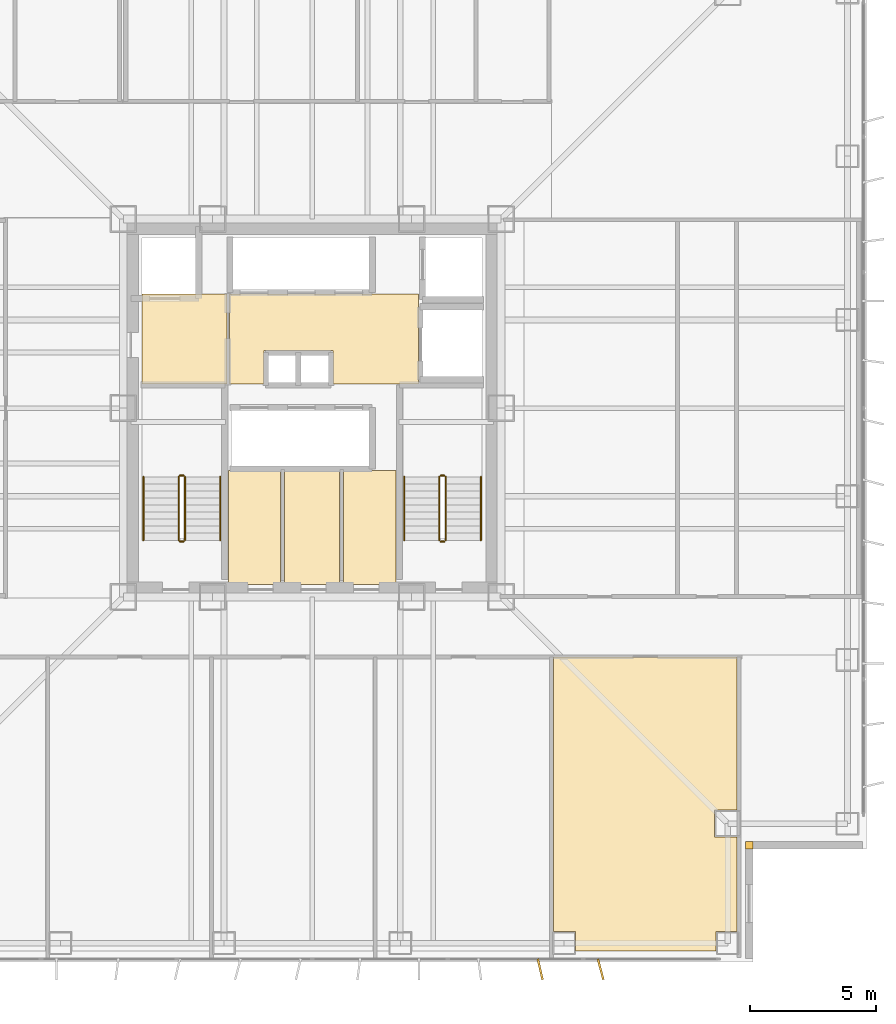
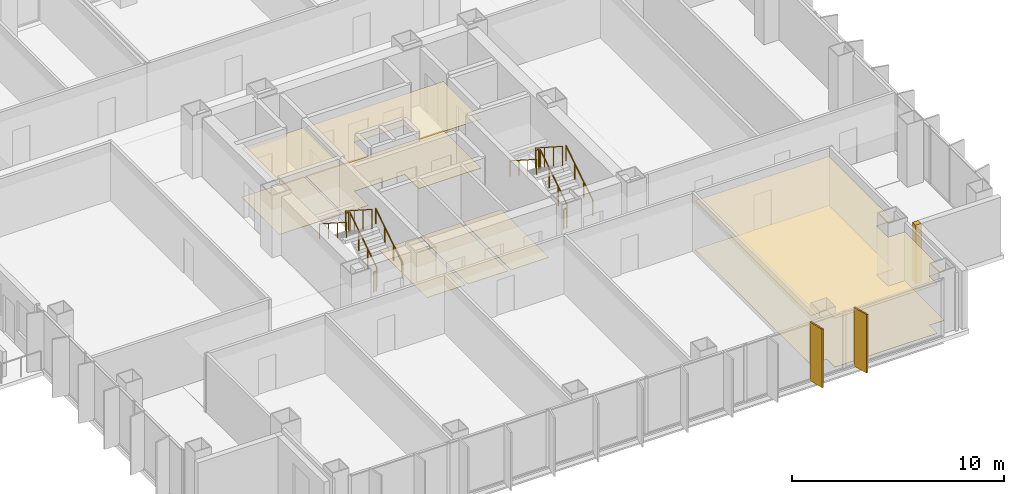
# One storey, part 14 of 15: 12 railings, 10 coverings, 2 shading devices.
"""IFC4 building model written with IfcOpenShell, lengths in metres."""

from ifc_helpers import new_model, si_unit, direction, frame, origin, origin_2d, place, context, subcontext, project, spatial, polyline, rectangle, circle, outline, extrude, material, layer, layer_set, type_object, element, save


model = new_model("IFC4")

# Units and contexts
model_context = context("Model", 3, precision=1e-05, world=origin(), true_north=direction((0.0, 1.0)))
body_context = subcontext(model_context, "Body", "Model", "MODEL_VIEW")
ifc_project = project(units=[si_unit("LENGTHUNIT", "METRE"), si_unit("AREAUNIT", "SQUARE_METRE"), si_unit("VOLUMEUNIT", "CUBIC_METRE"), si_unit("PLANEANGLEUNIT", "RADIAN"), si_unit("MASSUNIT", "GRAM", prefix="KILO")], contexts=[model_context])

# Site, building, storey
site_placement = place(None, origin())
site = spatial("IfcSite", under=ifc_project, at=site_placement, CompositionType="ELEMENT")
building_placement = place(site_placement, origin())
building = spatial("IfcBuilding", under=site, at=building_placement, Name="Trevonay Congress Spire", CompositionType="ELEMENT")
storey_placement = place(building_placement, frame((0.0, 0.0, 115.60009765625)))
storey = spatial("IfcBuildingStorey", under=building, at=storey_placement, Name="L29", CompositionType="ELEMENT", Elevation=115.60009765625)

# Coverings
ifc_material_1 = material(Name="Acoustic Mineral Fibre Board", Category="gypsum")
ifc_layer_1 = layer(ifc_material_1, 0.02490234375, Name="Acoustic Mineral Fibre Board")
ifc_layer_set_1 = layer_set([ifc_layer_1], Name="Acoustic Mineral Fibre Board")
covering_type_1 = type_object("IfcCoveringType", Name="COV-CEIL-ACOUSTIC", PredefinedType="CEILING", material=ifc_layer_set_1)
covering_1_placement = place(storey_placement, frame((0.0, 0.0, 2.809814453125)))
element("IfcCovering", 1, at=covering_1_placement, inside=storey, type_object=covering_type_1, Name="L29 Firefighting Lift Lobby West acoustic suspended ceiling", PredefinedType="CEILING", context=body_context, shape_type="SweptSolid", body=[
    extrude(outline(polyline([(-6.75, 0.9599609375), (-3.3798828125, 0.9599609375), (-3.3798828125, 4.52001953125), (-6.75, 4.52001953125), (-6.75, 0.9599609375)])), origin(), (0.0, 0.0, 1.0), 0.025146484375),
])
covering_2_placement = place(storey_placement, frame((0.0, 0.0, 2.809814453125)))
element("IfcCovering", 2, at=covering_2_placement, inside=storey, type_object=covering_type_1, Name="L29 Central and High-Rise Passenger Lift Lobby acoustic suspended ceiling", PredefinedType="CEILING", context=body_context, shape_type="SweptSolid", body=[
    extrude(outline(polyline([(-3.280029296875, 0.949951171875), (-1.919921875, 0.949951171875), (-1.919921875, 2.280029296875), (0.820068359375, 2.280029296875), (0.820068359375, 0.949951171875), (4.219970703125, 0.949951171875), (4.219970703125, 4.52001953125), (-3.280029296875, 4.52001953125), (-3.280029296875, 0.949951171875)])), origin(), (0.0, 0.0, 1.0), 0.025146484375),
])
covering_3_placement = place(storey_placement, frame((0.0, 0.0, 2.809814453125)))
element("IfcCovering", 3, at=covering_3_placement, inside=storey, type_object=covering_type_1, Name="L29 Directorate Corner Office acoustic suspended ceiling", PredefinedType="CEILING", context=body_context, shape_type="SweptSolid", body=[
    extrude(outline(polyline([(10.4599609375, -21.550048828125), (10.4599609375, -20.7900390625), (9.580078125, -20.7900390625), (9.580078125, -9.8798828125), (16.8701171875, -9.8798828125), (16.8701171875, -15.965087890625), (15.965087890625, -15.965087890625), (15.965087890625, -17.034912109375), (16.8701171875, -17.034912109375), (16.8701171875, -20.7900390625), (16.0400390625, -20.7900390625), (16.0400390625, -21.550048828125), (10.4599609375, -21.550048828125)])), origin(), (0.0, 0.0, 1.0), 0.025146484375),
])
ifc_material_2 = material(Name="Polished Granite Floor Tile", Category="masonry")
ifc_layer_2 = layer(ifc_material_2, 0.02001953125, Name="Polished Granite Floor Tile")
ifc_layer_set_2 = layer_set([ifc_layer_2], Name="Polished Granite Floor Tile")
covering_type_2 = type_object("IfcCoveringType", Name="COV-FLOOR-STONE", PredefinedType="FLOORING", material=ifc_layer_set_2)
covering_4_placement = place(storey_placement, origin())
element("IfcCovering", 4, at=covering_4_placement, inside=storey, type_object=covering_type_2, Name="L29 Firefighting Lift Lobby West floor finish", PredefinedType="FLOORING", context=body_context, shape_type="SweptSolid", body=[
    extrude(outline(polyline([(-6.75, 0.9599609375), (-3.3798828125, 0.9599609375), (-3.3798828125, 4.52001953125), (-6.75, 4.52001953125), (-6.75, 0.9599609375)])), origin(), (0.0, 0.0, 1.0), 0.02001953125),
])
covering_5_placement = place(storey_placement, origin())
element("IfcCovering", 5, at=covering_5_placement, inside=storey, type_object=covering_type_2, Name="L29 Central and High-Rise Passenger Lift Lobby floor finish", PredefinedType="FLOORING", context=body_context, shape_type="SweptSolid", body=[
    extrude(outline(polyline([(-3.280029296875, 0.949951171875), (-1.919921875, 0.949951171875), (-1.919921875, 2.280029296875), (0.820068359375, 2.280029296875), (0.820068359375, 0.949951171875), (4.219970703125, 0.949951171875), (4.219970703125, 4.52001953125), (-3.280029296875, 4.52001953125), (-3.280029296875, 0.949951171875)])), origin(), (0.0, 0.0, 1.0), 0.02001953125),
])
covering_6_placement = place(storey_placement, origin())
element("IfcCovering", 6, at=covering_6_placement, inside=storey, type_object=covering_type_2, Name="L29 Core AHU Fan Plant Room floor finish", PredefinedType="FLOORING", context=body_context, shape_type="SweptSolid", body=[
    extrude(outline(polyline([(-3.320068359375, -7.0), (-1.25, -7.0), (-1.25, -2.47998046875), (-3.320068359375, -2.47998046875), (-3.320068359375, -7.0)])), origin(), (0.0, 0.0, 1.0), 0.02001953125),
])
covering_7_placement = place(storey_placement, origin())
element("IfcCovering", 7, at=covering_7_placement, inside=storey, type_object=covering_type_2, Name="L29 Core IT Comms Store floor finish", PredefinedType="FLOORING", context=body_context, shape_type="SweptSolid", body=[
    extrude(outline(polyline([(-1.090087890625, -7.0), (1.090087890625, -7.0), (1.090087890625, -2.47998046875), (-1.090087890625, -2.47998046875), (-1.090087890625, -7.0)])), origin(), (0.0, 0.0, 1.0), 0.02001953125),
])
covering_8_placement = place(storey_placement, origin())
element("IfcCovering", 8, at=covering_8_placement, inside=storey, type_object=covering_type_2, Name="L29 Housekeeping Linen Store floor finish", PredefinedType="FLOORING", context=body_context, shape_type="SweptSolid", body=[
    extrude(outline(polyline([(1.25, -7.0), (3.320068359375, -7.0), (3.320068359375, -2.47998046875), (1.25, -2.47998046875), (1.25, -7.0)])), origin(), (0.0, 0.0, 1.0), 0.02001953125),
])
ifc_material_3 = material(Name="Engineered Oak Flooring", Category="wood")
ifc_layer_3 = layer(ifc_material_3, 0.01806640625, Name="Engineered Oak Flooring")
ifc_layer_set_3 = layer_set([ifc_layer_3], Name="Engineered Oak Flooring")
covering_type_3 = type_object("IfcCoveringType", Name="COV-FLOOR-TIMBER", PredefinedType="FLOORING", material=ifc_layer_set_3)
covering_9_placement = place(storey_placement, origin())
element("IfcCovering", 9, at=covering_9_placement, inside=storey, type_object=covering_type_3, Name="L29 Directorate Corner Office floor finish", PredefinedType="FLOORING", context=body_context, shape_type="SweptSolid", body=[
    extrude(outline(polyline([(10.4599609375, -21.550048828125), (10.4599609375, -20.7900390625), (9.580078125, -20.7900390625), (9.580078125, -9.8798828125), (16.8701171875, -9.8798828125), (16.8701171875, -15.965087890625), (15.965087890625, -15.965087890625), (15.965087890625, -17.034912109375), (16.8701171875, -17.034912109375), (16.8701171875, -20.7900390625), (16.0400390625, -20.7900390625), (16.0400390625, -21.550048828125), (10.4599609375, -21.550048828125)])), origin(), (0.0, 0.0, 1.0), 0.017822265625),
])
ifc_material_4 = material(Name="Pale Anodised Aluminium EN AW-6063-T6", Category="aluminium")
ifc_layer_4 = layer(ifc_material_4, 0.0400390625, Name="Pale Anodised Aluminium EN AW-6063-T6")
ifc_layer_set_4 = layer_set([ifc_layer_4], Name="Pale Anodised Aluminium EN AW-6063-T6")
covering_type_4 = type_object("IfcCoveringType", Name="COV-SPANDREL-PALE-METAL", PredefinedType="CLADDING", material=ifc_layer_set_4)
covering_10_placement = place(storey_placement, origin())
element("IfcCovering", 10, at=covering_10_placement, inside=storey, type_object=covering_type_4, Name="L29 SE re-entrant notch corner closure trim", PredefinedType="CLADDING", context=body_context, shape_type="SweptSolid", body=[
    extrude(outline(polyline([(17.199951171875, -17.5), (17.5, -17.5), (17.5, -17.199951171875), (17.199951171875, -17.199951171875), (17.199951171875, -17.5)])), origin(), (0.0, 0.0, 1.0), 3.35986328125),
])

# Railings
railing_type_1 = type_object("IfcRailingType", Name="RAL-STAIR-GUARD-110", PredefinedType="GUARDRAIL", material=ifc_material_4)
railing_1_placement = place(storey_placement, frame((-5.050048828125, -5.25, 0.179931640625)))
element("IfcRailing", 11, at=railing_1_placement, inside=storey, type_object=railing_type_1, Name="L29 ST-1 stair guard 1", PredefinedType="GUARDRAIL", context=body_context, shape_type="SweptSolid", body=[
    extrude(circle(Radius=0.02392578125, at=origin_2d()), frame((0.0, 0.0, 1.1259765625), z_axis=(0.0, 0.841199657755, 0.540724639528), x_axis=(-1.0, 0.0, 0.0)), (0.0, 0.0, 1.0), 2.995849609375),
    extrude(circle(Radius=0.02099609375, at=origin_2d()), origin(), (0.0, 0.0, 1.0), 1.101806640625),
    extrude(circle(Radius=0.02099609375, at=origin_2d()), frame((0.0, 0.840087890625, 0.5400390625)), (0.0, 0.0, 1.0), 1.101806640625),
    extrude(circle(Radius=0.02099609375, at=origin_2d()), frame((0.0, 1.679931640625, 1.079833984375)), (0.0, 0.0, 1.0), 1.101806640625),
    extrude(circle(Radius=0.02099609375, at=origin_2d()), frame((0.0, 2.52001953125, 1.619873046875)), (0.0, 0.0, 1.0), 1.101806640625),
])
railing_2_placement = place(storey_placement, frame((-5.10009765625, -2.679931640625, 1.7998046875)))
element("IfcRailing", 12, at=railing_2_placement, inside=storey, type_object=railing_type_1, Name="L29 ST-1 stair guard 2", PredefinedType="GUARDRAIL", context=body_context, shape_type="SweptSolid", body=[
    extrude(circle(Radius=0.02392578125, at=origin_2d()), frame((0.0, 0.0, 1.1259765625), z_axis=(-1.0, 0.0, 0.0), x_axis=(0.0, -1.0, 0.0)), (0.0, 0.0, 1.0), 0.14990234375),
    extrude(circle(Radius=0.02099609375, at=origin_2d()), origin(), (0.0, 0.0, 1.0), 1.101806640625),
    extrude(circle(Radius=0.02099609375, at=origin_2d()), frame((-0.14990234375, 0.0, 0.0)), (0.0, 0.0, 1.0), 1.101806640625),
])
railing_3_placement = place(storey_placement, frame((-5.300048828125, -2.72998046875, 1.97998046875)))
element("IfcRailing", 13, at=railing_3_placement, inside=storey, type_object=railing_type_1, Name="L29 ST-1 stair guard 3", PredefinedType="GUARDRAIL", context=body_context, shape_type="SweptSolid", body=[
    extrude(circle(Radius=0.02392578125, at=origin_2d()), frame((0.0, 0.0, 1.1259765625), z_axis=(0.0, -0.841199657755, 0.540724639528), x_axis=(1.0, 0.0, 0.0)), (0.0, 0.0, 1.0), 2.995849609375),
    extrude(circle(Radius=0.02099609375, at=origin_2d()), origin(), (0.0, 0.0, 1.0), 1.101806640625),
    extrude(circle(Radius=0.02099609375, at=origin_2d()), frame((0.0, -0.840087890625, 0.5400390625)), (0.0, 0.0, 1.0), 1.101806640625),
    extrude(circle(Radius=0.02099609375, at=origin_2d()), frame((0.0, -1.679931640625, 1.079833984375)), (0.0, 0.0, 1.0), 1.101806640625),
    extrude(circle(Radius=0.02099609375, at=origin_2d()), frame((0.0, -2.52001953125, 1.619873046875)), (0.0, 0.0, 1.0), 1.101806640625),
])
railing_4_placement = place(storey_placement, frame((-5.10009765625, -5.300048828125, 0.0)))
element("IfcRailing", 14, at=railing_4_placement, inside=storey, type_object=railing_type_1, Name="L29 ST-1 stair guard 4", PredefinedType="GUARDRAIL", context=body_context, shape_type="SweptSolid", body=[
    extrude(circle(Radius=0.02392578125, at=origin_2d()), frame((0.0, 0.0, 1.1259765625), z_axis=(-1.0, 0.0, 0.0), x_axis=(0.0, -1.0, 0.0)), (0.0, 0.0, 1.0), 0.14990234375),
    extrude(circle(Radius=0.02099609375, at=origin_2d()), origin(), (0.0, 0.0, 1.0), 1.101806640625),
    extrude(circle(Radius=0.02099609375, at=origin_2d()), frame((-0.14990234375, 0.0, 0.0)), (0.0, 0.0, 1.0), 1.101806640625),
])
railing_5_placement = place(storey_placement, frame((5.300048828125, -5.25, 0.179931640625)))
element("IfcRailing", 15, at=railing_5_placement, inside=storey, type_object=railing_type_1, Name="L29 ST-2 stair guard 1", PredefinedType="GUARDRAIL", context=body_context, shape_type="SweptSolid", body=[
    extrude(circle(Radius=0.02392578125, at=origin_2d()), frame((0.0, 0.0, 1.1259765625), z_axis=(0.0, 0.841199657755, 0.540724639528), x_axis=(-1.0, 0.0, 0.0)), (0.0, 0.0, 1.0), 2.995849609375),
    extrude(circle(Radius=0.02099609375, at=origin_2d()), origin(), (0.0, 0.0, 1.0), 1.101806640625),
    extrude(circle(Radius=0.02099609375, at=origin_2d()), frame((0.0, 0.840087890625, 0.5400390625)), (0.0, 0.0, 1.0), 1.101806640625),
    extrude(circle(Radius=0.02099609375, at=origin_2d()), frame((0.0, 1.679931640625, 1.079833984375)), (0.0, 0.0, 1.0), 1.101806640625),
    extrude(circle(Radius=0.02099609375, at=origin_2d()), frame((0.0, 2.52001953125, 1.619873046875)), (0.0, 0.0, 1.0), 1.101806640625),
])
railing_6_placement = place(storey_placement, frame((5.25, -2.679931640625, 1.7998046875)))
element("IfcRailing", 16, at=railing_6_placement, inside=storey, type_object=railing_type_1, Name="L29 ST-2 stair guard 2", PredefinedType="GUARDRAIL", context=body_context, shape_type="SweptSolid", body=[
    extrude(circle(Radius=0.02392578125, at=origin_2d()), frame((0.0, 0.0, 1.1259765625), z_axis=(-1.0, 0.0, 0.0), x_axis=(0.0, -1.0, 0.0)), (0.0, 0.0, 1.0), 0.14990234375),
    extrude(circle(Radius=0.02099609375, at=origin_2d()), origin(), (0.0, 0.0, 1.0), 1.101806640625),
    extrude(circle(Radius=0.02099609375, at=origin_2d()), frame((-0.14990234375, 0.0, 0.0)), (0.0, 0.0, 1.0), 1.101806640625),
])
railing_7_placement = place(storey_placement, frame((5.050048828125, -2.72998046875, 1.97998046875)))
element("IfcRailing", 17, at=railing_7_placement, inside=storey, type_object=railing_type_1, Name="L29 ST-2 stair guard 3", PredefinedType="GUARDRAIL", context=body_context, shape_type="SweptSolid", body=[
    extrude(circle(Radius=0.02392578125, at=origin_2d()), frame((0.0, 0.0, 1.1259765625), z_axis=(0.0, -0.841199657755, 0.540724639528), x_axis=(1.0, 0.0, 0.0)), (0.0, 0.0, 1.0), 2.995849609375),
    extrude(circle(Radius=0.02099609375, at=origin_2d()), origin(), (0.0, 0.0, 1.0), 1.101806640625),
    extrude(circle(Radius=0.02099609375, at=origin_2d()), frame((0.0, -0.840087890625, 0.5400390625)), (0.0, 0.0, 1.0), 1.101806640625),
    extrude(circle(Radius=0.02099609375, at=origin_2d()), frame((0.0, -1.679931640625, 1.079833984375)), (0.0, 0.0, 1.0), 1.101806640625),
    extrude(circle(Radius=0.02099609375, at=origin_2d()), frame((0.0, -2.52001953125, 1.619873046875)), (0.0, 0.0, 1.0), 1.101806640625),
])
railing_8_placement = place(storey_placement, frame((5.25, -5.300048828125, 0.0)))
element("IfcRailing", 18, at=railing_8_placement, inside=storey, type_object=railing_type_1, Name="L29 ST-2 stair guard 4", PredefinedType="GUARDRAIL", context=body_context, shape_type="SweptSolid", body=[
    extrude(circle(Radius=0.02392578125, at=origin_2d()), frame((0.0, 0.0, 1.1259765625), z_axis=(-1.0, 0.0, 0.0), x_axis=(0.0, -1.0, 0.0)), (0.0, 0.0, 1.0), 0.14990234375),
    extrude(circle(Radius=0.02099609375, at=origin_2d()), origin(), (0.0, 0.0, 1.0), 1.101806640625),
    extrude(circle(Radius=0.02099609375, at=origin_2d()), frame((-0.14990234375, 0.0, 0.0)), (0.0, 0.0, 1.0), 1.101806640625),
])
railing_type_2 = type_object("IfcRailingType", Name="RAL-STAIR-HANDRAIL", PredefinedType="HANDRAIL", material=ifc_material_4)
railing_9_placement = place(storey_placement, frame((-3.64990234375, -5.25, 0.179931640625)))
element("IfcRailing", 19, at=railing_9_placement, inside=storey, type_object=railing_type_2, Name="L29 ST-1 stair handrail 1", PredefinedType="HANDRAIL", context=body_context, shape_type="SweptSolid", body=[
    extrude(circle(Radius=0.02392578125, at=origin_2d()), frame((0.0, 0.0, 0.8759765625), z_axis=(0.0, 0.841199657755, 0.540724639528), x_axis=(-1.0, 0.0, 0.0)), (0.0, 0.0, 1.0), 2.995849609375),
    extrude(circle(Radius=0.02099609375, at=origin_2d()), origin(), (0.0, 0.0, 1.0), 0.851806640625),
    extrude(circle(Radius=0.02099609375, at=origin_2d()), frame((0.0, 0.840087890625, 0.5400390625)), (0.0, 0.0, 1.0), 0.851806640625),
    extrude(circle(Radius=0.02099609375, at=origin_2d()), frame((0.0, 1.679931640625, 1.079833984375)), (0.0, 0.0, 1.0), 0.851806640625),
    extrude(circle(Radius=0.02099609375, at=origin_2d()), frame((0.0, 2.52001953125, 1.619873046875)), (0.0, 0.0, 1.0), 0.851806640625),
])
railing_10_placement = place(storey_placement, frame((-6.699951171875, -2.72998046875, 1.97998046875)))
element("IfcRailing", 20, at=railing_10_placement, inside=storey, type_object=railing_type_2, Name="L29 ST-1 stair handrail 2", PredefinedType="HANDRAIL", context=body_context, shape_type="SweptSolid", body=[
    extrude(circle(Radius=0.02392578125, at=origin_2d()), frame((0.0, 0.0, 0.8759765625), z_axis=(0.0, -0.841199657755, 0.540724639528), x_axis=(1.0, 0.0, 0.0)), (0.0, 0.0, 1.0), 2.995849609375),
    extrude(circle(Radius=0.02099609375, at=origin_2d()), origin(), (0.0, 0.0, 1.0), 0.851806640625),
    extrude(circle(Radius=0.02099609375, at=origin_2d()), frame((0.0, -0.840087890625, 0.5400390625)), (0.0, 0.0, 1.0), 0.851806640625),
    extrude(circle(Radius=0.02099609375, at=origin_2d()), frame((0.0, -1.679931640625, 1.079833984375)), (0.0, 0.0, 1.0), 0.851806640625),
    extrude(circle(Radius=0.02099609375, at=origin_2d()), frame((0.0, -2.52001953125, 1.619873046875)), (0.0, 0.0, 1.0), 0.851806640625),
])
railing_11_placement = place(storey_placement, frame((6.699951171875, -5.25, 0.179931640625)))
element("IfcRailing", 21, at=railing_11_placement, inside=storey, type_object=railing_type_2, Name="L29 ST-2 stair handrail 1", PredefinedType="HANDRAIL", context=body_context, shape_type="SweptSolid", body=[
    extrude(circle(Radius=0.02392578125, at=origin_2d()), frame((0.0, 0.0, 0.8759765625), z_axis=(0.0, 0.841199657755, 0.540724639528), x_axis=(-1.0, 0.0, 0.0)), (0.0, 0.0, 1.0), 2.995849609375),
    extrude(circle(Radius=0.02099609375, at=origin_2d()), origin(), (0.0, 0.0, 1.0), 0.851806640625),
    extrude(circle(Radius=0.02099609375, at=origin_2d()), frame((0.0, 0.840087890625, 0.5400390625)), (0.0, 0.0, 1.0), 0.851806640625),
    extrude(circle(Radius=0.02099609375, at=origin_2d()), frame((0.0, 1.679931640625, 1.079833984375)), (0.0, 0.0, 1.0), 0.851806640625),
    extrude(circle(Radius=0.02099609375, at=origin_2d()), frame((0.0, 2.52001953125, 1.619873046875)), (0.0, 0.0, 1.0), 0.851806640625),
])
railing_12_placement = place(storey_placement, frame((3.64990234375, -2.72998046875, 1.97998046875)))
element("IfcRailing", 22, at=railing_12_placement, inside=storey, type_object=railing_type_2, Name="L29 ST-2 stair handrail 2", PredefinedType="HANDRAIL", context=body_context, shape_type="SweptSolid", body=[
    extrude(circle(Radius=0.02392578125, at=origin_2d()), frame((0.0, 0.0, 0.8759765625), z_axis=(0.0, -0.841199657755, 0.540724639528), x_axis=(1.0, 0.0, 0.0)), (0.0, 0.0, 1.0), 2.995849609375),
    extrude(circle(Radius=0.02099609375, at=origin_2d()), origin(), (0.0, 0.0, 1.0), 0.851806640625),
    extrude(circle(Radius=0.02099609375, at=origin_2d()), frame((0.0, -0.840087890625, 0.5400390625)), (0.0, 0.0, 1.0), 0.851806640625),
    extrude(circle(Radius=0.02099609375, at=origin_2d()), frame((0.0, -1.679931640625, 1.079833984375)), (0.0, 0.0, 1.0), 0.851806640625),
    extrude(circle(Radius=0.02099609375, at=origin_2d()), frame((0.0, -2.52001953125, 1.619873046875)), (0.0, 0.0, 1.0), 0.851806640625),
])

# Shading devices
shading_device_type = type_object("IfcShadingDeviceType", Name="SHD-FIN-Z2-PALE-METAL", PredefinedType="USERDEFINED", material=ifc_material_4)
for number, where, z_axis, x_axis, name in (
    (23, (9.050048828125, -22.280029296875, 0.0), (0.0, 0.0, 1.0), (0.97440931131, 0.224780991261, 0.0), "L29 S vertical pale-metal solar fin 11"),
    (24, (11.449951171875, -22.280029296875, 0.0), (0.0, 0.0, 1.0), (0.965925826289, 0.258819045103, 0.0), "L29 S vertical pale-metal solar fin 12"),
):
    element("IfcShadingDevice", number, at=place(storey_placement, frame(where, z_axis=z_axis, x_axis=x_axis)), inside=storey, type_object=shading_device_type, Name=name, ObjectType="SOLAR FIN", PredefinedType="USERDEFINED", context=body_context, shape_type="SweptSolid", body=[
        extrude(rectangle(XDim=0.080078125, YDim=0.85009765625, at=origin_2d()), origin(), (0.0, 0.0, 1.0), 3.360107421875),
    ])

save(model, "model.ifc")
